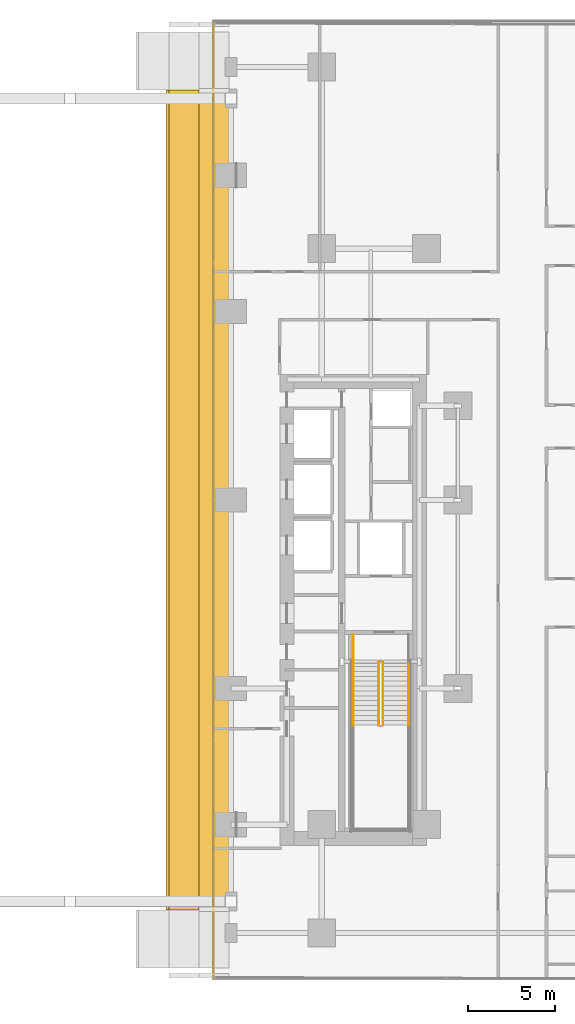
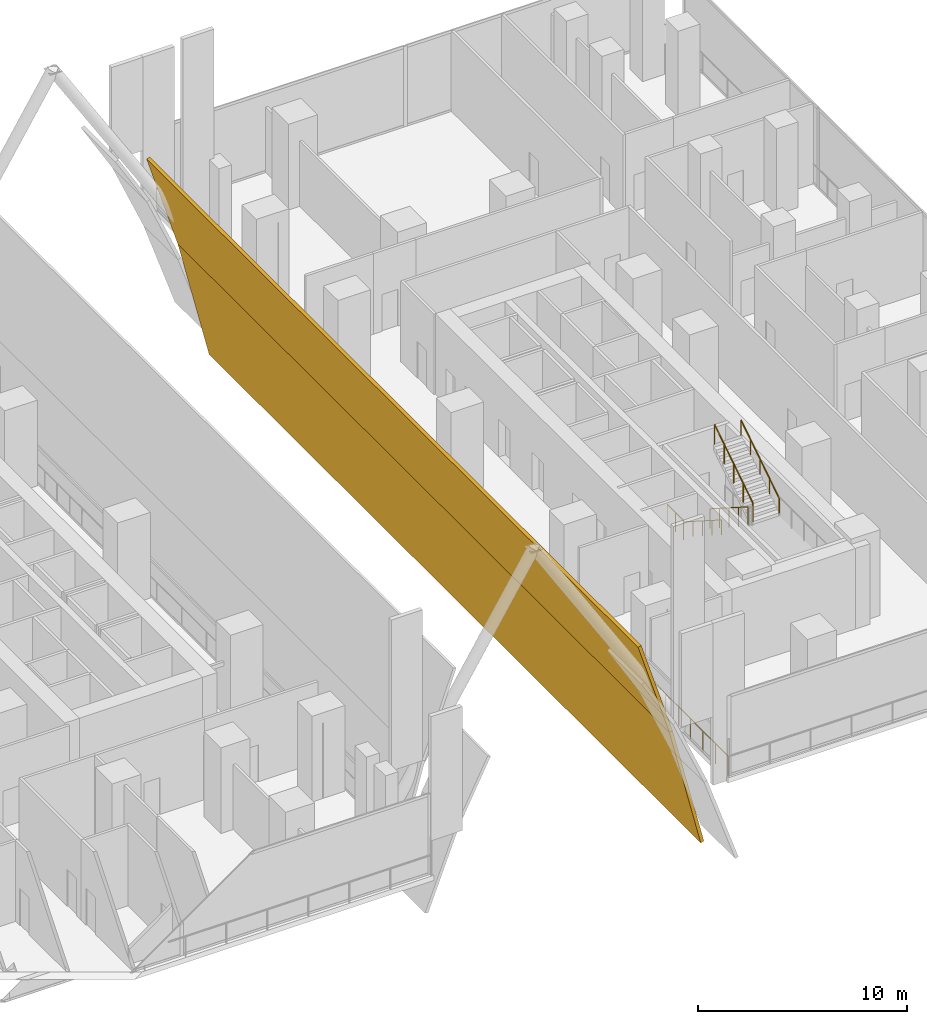
# One storey, part 26 of 31: 6 railings, 2 coverings.
"""IFC4 building model written with IfcOpenShell, lengths in metres."""

import ifcopenshell
import ifcopenshell.guid

model = None  # the IFC model being written
_history = None  # IfcOwnerHistory: only IFC2X3 demands one
_inside = {}  # id of a spatial element -> (the spatial element, [elements in it])
_under = {}  # id of a project, library or spatial element -> (it, [spatial elements below it])
_declared = {}  # id of a project -> (the project, [libraries it declares])
_typed = {}  # id of a type object -> (the type object, [elements of that type])
_made_of = {}  # id of a material, layer set ... -> (it, [elements and type objects made of it])


def new_model(schema):
    """Start an empty IFC model of exactly this schema.

    Asked for "IFC4X3", IfcOpenShell would pick the latest addendum, in which some entities
    have other attributes; the version numbers below select the first issue.
    IFC2X3 requires an IfcOwnerHistory on every rooted entity: one is made here for all.
    """
    global model, _history
    if schema == "IFC4X3":
        model = ifcopenshell.file(schema_version=(4, 3, 0, 0))
    else:
        model = ifcopenshell.file(schema=schema)
    _inside.clear()
    _under.clear()
    _declared.clear()
    _typed.clear()
    _made_of.clear()
    _history = None
    if model.schema == "IFC2X3":
        org = make("IfcOrganization", Name="unknown")
        user = make(
            "IfcPersonAndOrganization",
            ThePerson=make("IfcPerson", FamilyName="unknown"),
            TheOrganization=org,
        )
        app = make(
            "IfcApplication",
            ApplicationDeveloper=org,
            Version="unknown",
            ApplicationFullName="unknown",
            ApplicationIdentifier="unknown",
        )
        _history = make(
            "IfcOwnerHistory",
            OwningUser=user,
            OwningApplication=app,
            ChangeAction="ADDED",
            CreationDate=0,
        )
    return model


def make(cls, **values):
    """One entity of the class cls with the attributes given. An attribute that is None is left unset."""
    return model.create_entity(
        cls, **{name: value for name, value in values.items() if value is not None}
    )


def rooted(cls, **values):
    """An entity with a GlobalId (a new one), such as an element, a storey or a relation."""
    return make(cls, GlobalId=ifcopenshell.guid.new(), OwnerHistory=_history, **values)


def si_unit(unit_type, name, prefix=None):
    """IfcSIUnit, for example si_unit("LENGTHUNIT", "METRE", prefix="MILLI")."""
    return make("IfcSIUnit", UnitType=unit_type, Prefix=prefix, Name=name)


def assignment(units):
    """IfcUnitAssignment: the units of a project."""
    return None if units is None else make("IfcUnitAssignment", Units=units)


def point(xyz):
    """IfcCartesianPoint."""
    return None if xyz is None else make("IfcCartesianPoint", Coordinates=xyz)


def direction(xyz):
    """IfcDirection."""
    return None if xyz is None else make("IfcDirection", DirectionRatios=xyz)


def frame(location, z_axis=None, x_axis=None):
    """IfcAxis2Placement3D, a coordinate frame: its origin and axes. An axis left out is left unset."""
    return make(
        "IfcAxis2Placement3D",
        Location=point(location),
        Axis=direction(z_axis),
        RefDirection=direction(x_axis),
    )


def frame_2d(location, x_axis=None):
    """IfcAxis2Placement2D, a coordinate frame in the plane: its origin and x axis."""
    return make(
        "IfcAxis2Placement2D", Location=point(location), RefDirection=direction(x_axis)
    )


def origin():
    """The frame at (0, 0, 0) with its axes left unset."""
    return frame((0.0, 0.0, 0.0))


def origin_2d():
    """The frame at (0, 0) in the plane with its x axis left unset."""
    return frame_2d((0.0, 0.0))


def place(relative_to, where):
    """IfcLocalPlacement: puts the frame where relative to a parent placement (None: the world)."""
    return make(
        "IfcLocalPlacement", PlacementRelTo=relative_to, RelativePlacement=where
    )


def context(
    kind, dimensions, precision=None, world=None, true_north=None, identifier=None
):
    """IfcGeometricRepresentationContext, for example the 3D "Model" context."""
    return make(
        "IfcGeometricRepresentationContext",
        ContextIdentifier=identifier,
        ContextType=kind,
        CoordinateSpaceDimension=dimensions,
        Precision=precision,
        WorldCoordinateSystem=world,
        TrueNorth=true_north,
    )


def subcontext(parent, identifier, kind, view, scale=None):
    """IfcGeometricRepresentationSubContext, for example "Body" below "Model"."""
    return make(
        "IfcGeometricRepresentationSubContext",
        ContextIdentifier=identifier,
        ContextType=kind,
        ParentContext=parent,
        TargetScale=scale,
        TargetView=view,
    )


def project(units=None, contexts=None):
    """IfcProject with its units and contexts."""
    return rooted(
        "IfcProject",
        Name="project",
        RepresentationContexts=contexts,
        UnitsInContext=assignment(units),
    )


def spatial(cls, under=None, at=None, **own):
    """A site, building, storey or space (cls), placed at a placement, below another one or the project."""
    s = rooted(cls, ObjectPlacement=at, **own)
    if under is not None:
        _under.setdefault(under.id(), (under, []))[1].append(s)
    return s


def polyline(points):
    """IfcPolyline through the points."""
    return make("IfcPolyline", Points=[point(p) for p in points])


def profile(cls, at=None, kind="AREA", **sizes):
    """A parametric profile (cls). Its sizes go by their IFC names, for example OverallWidth=200.0."""
    return make(cls, ProfileType=kind, Position=at, **sizes)


def circle(**sizes):
    """IfcCircleProfileDef."""
    return profile("IfcCircleProfileDef", **sizes)


def outline(outer, holes=None, kind="AREA"):
    """IfcArbitraryClosedProfileDef: a profile drawn as a closed curve; with holes, ...WithVoids."""
    if holes is None:
        return make("IfcArbitraryClosedProfileDef", ProfileType=kind, OuterCurve=outer)
    return make(
        "IfcArbitraryProfileDefWithVoids",
        ProfileType=kind,
        OuterCurve=outer,
        InnerCurves=holes,
    )


def extrude(swept, where, along, depth):
    """IfcExtrudedAreaSolid: the profile swept, set in the frame where, extruded along a direction by depth."""
    return make(
        "IfcExtrudedAreaSolid",
        SweptArea=swept,
        Position=where,
        ExtrudedDirection=direction(along),
        Depth=depth,
    )


def shape(context_of_items, identifier, shape_type, items):
    """IfcShapeRepresentation: the items that make up one representation, for example the "Body"."""
    return make(
        "IfcShapeRepresentation",
        ContextOfItems=context_of_items,
        RepresentationIdentifier=identifier,
        RepresentationType=shape_type,
        Items=items,
    )


def material(Name=None, Category=None):
    """IfcMaterial."""
    return make("IfcMaterial", Name=Name, Category=Category)


def layer(
    of_material, thickness, ventilated=None, Name=None, Category=None, Priority=None
):
    """IfcMaterialLayer: one layer of a wall or slab, of a material (None: an air gap)."""
    return make(
        "IfcMaterialLayer",
        Material=of_material,
        LayerThickness=thickness,
        IsVentilated=ventilated,
        Name=Name,
        Category=Category,
        Priority=Priority,
    )


def layer_set(layers, Name=None):
    """IfcMaterialLayerSet."""
    return make("IfcMaterialLayerSet", MaterialLayers=layers, LayerSetName=Name)


def made_of(thing, what):
    """Note that an element or type object is made of a material, layer set ...; save() writes the relation."""
    if what is not None:
        _made_of.setdefault(what.id(), (what, []))[1].append(thing)
    return thing


def type_object(cls, material=None, **own):
    """A type object (cls), such as IfcWallType, which elements share."""
    return made_of(rooted(cls, **own), material)


def element(
    cls,
    number,
    at=None,
    inside=None,
    cuts=None,
    type_object=None,
    material=None,
    context=None,
    identifier="Body",
    shape_type=None,
    held_by="IfcProductDefinitionShape",
    body=None,
    shapes=None,
    **own,
):
    """One element of the class cls, such as IfcWall. Its Tag is "e" and its number.

    at: its placement. inside: the storey or other place that contains it. cuts: it is an
    opening in that element (IfcRelVoidsElement). A single representation is given by context,
    identifier, shape_type and body (its items); several are given by shapes. held_by: the class
    of the entity that holds the representations. save() writes the other relations.
    """
    e = rooted(cls, Tag="e%d" % number, ObjectPlacement=at, **own)
    if body is not None:
        shapes = [shape(context, identifier, shape_type, body)]
    if shapes is not None:
        e.Representation = make(held_by, Representations=shapes)
    if inside is not None:
        _inside.setdefault(inside.id(), (inside, []))[1].append(e)
    if cuts is not None:
        rooted(
            "IfcRelVoidsElement", RelatingBuildingElement=cuts, RelatedOpeningElement=e
        )
    if type_object is not None:
        _typed.setdefault(type_object.id(), (type_object, []))[1].append(e)
    return made_of(e, material)


def aggregate(whole, parts):
    """IfcRelAggregates: a whole, such as a stair, and the parts it consists of."""
    return rooted("IfcRelAggregates", RelatingObject=whole, RelatedObjects=parts)


def save(model, path):
    """Write the relations noted so far, then the file.

    IfcRelAggregates (storeys below a building ...), IfcRelContainedInSpatialStructure (elements
    in a storey), IfcRelDefinesByType, IfcRelAssociatesMaterial and IfcRelDeclares: one each for
    every whole, place, type object, material and project.
    """
    for whole, parts in _under.values():
        aggregate(whole, parts)
    for where, things in _inside.values():
        rooted(
            "IfcRelContainedInSpatialStructure",
            RelatedElements=things,
            RelatingStructure=where,
        )
    for kind, things in _typed.values():
        rooted("IfcRelDefinesByType", RelatedObjects=things, RelatingType=kind)
    for what, things in _made_of.values():
        rooted("IfcRelAssociatesMaterial", RelatedObjects=things, RelatingMaterial=what)
    for by, libraries in _declared.values():
        rooted("IfcRelDeclares", RelatingContext=by, RelatedDefinitions=libraries)
    model.write(path)


model = new_model("IFC4")

# Units and contexts
model_context = context("Model", 3, precision=1e-05, world=origin(), true_north=direction((0.0, 1.0)))
body_context = subcontext(model_context, "Body", "Model", "MODEL_VIEW")
ifc_project = project(units=[si_unit("LENGTHUNIT", "METRE"), si_unit("AREAUNIT", "SQUARE_METRE"), si_unit("VOLUMEUNIT", "CUBIC_METRE"), si_unit("PLANEANGLEUNIT", "RADIAN"), si_unit("MASSUNIT", "GRAM", prefix="KILO")], contexts=[model_context])

# Site, building, storey
site_placement = place(None, origin())
site = spatial("IfcSite", under=ifc_project, at=site_placement, CompositionType="ELEMENT")
building_placement = place(site_placement, origin())
building = spatial("IfcBuilding", under=site, at=building_placement, Name="Khairoan Windgate Tower", CompositionType="ELEMENT")
storey_placement = place(building_placement, frame((0.0, 0.0, 6.0)))
storey = spatial("IfcBuildingStorey", under=building, at=storey_placement, Name="L02", CompositionType="ELEMENT", Elevation=6.0)

# Railing
ifc_material_1 = material(Name="Anodised Bronze Aluminium 6063-T6", Category="aluminium")
railing_type_1 = type_object("IfcRailingType", Name="Aerodynamic Bronze-and-Glass Balustrade BAL-1200", PredefinedType="BALUSTRADE", material=ifc_material_1)
railing_1_placement = place(storey_placement, frame((8.199951171875, -27.356689453125, 0.0)))
element("IfcRailing", 1, at=railing_1_placement, inside=storey, type_object=railing_type_1, Name="L02 Arch Void Edge Guardrail 2", PredefinedType="BALUSTRADE", context=body_context, shape_type="SweptSolid", body=[
    extrude(circle(Radius=0.02392578125, at=origin_2d()), frame((0.0, 0.0, 1.17578125), z_axis=(0.0, 1.0, 0.0), x_axis=(-1.0, 0.0, 0.0)), (0.0, 0.0, 1.0), 54.661865234375),
    extrude(circle(Radius=0.02099609375, at=origin_2d()), origin(), (0.0, 0.0, 1.0), 1.15185546875),
    extrude(circle(Radius=0.02099609375, at=origin_2d()), frame((0.0, 1.188232421875, 0.0)), (0.0, 0.0, 1.0), 1.15185546875),
    extrude(circle(Radius=0.02099609375, at=origin_2d()), frame((0.0, 2.376708984375, 0.0)), (0.0, 0.0, 1.0), 1.15185546875),
    extrude(circle(Radius=0.02099609375, at=origin_2d()), frame((0.0, 3.56494140625, 0.0)), (0.0, 0.0, 1.0), 1.15185546875),
    extrude(circle(Radius=0.02099609375, at=origin_2d()), frame((0.0, 4.753173828125, 0.0)), (0.0, 0.0, 1.0), 1.15185546875),
    extrude(circle(Radius=0.02099609375, at=origin_2d()), frame((0.0, 5.94140625, 0.0)), (0.0, 0.0, 1.0), 1.15185546875),
    extrude(circle(Radius=0.02099609375, at=origin_2d()), frame((0.0, 7.1298828125, 0.0)), (0.0, 0.0, 1.0), 1.15185546875),
    extrude(circle(Radius=0.02099609375, at=origin_2d()), frame((0.0, 8.318115234375, 0.0)), (0.0, 0.0, 1.0), 1.15185546875),
    extrude(circle(Radius=0.02099609375, at=origin_2d()), frame((0.0, 9.50634765625, 0.0)), (0.0, 0.0, 1.0), 1.15185546875),
    extrude(circle(Radius=0.02099609375, at=origin_2d()), frame((0.0, 10.69482421875, 0.0)), (0.0, 0.0, 1.0), 1.15185546875),
    extrude(circle(Radius=0.02099609375, at=origin_2d()), frame((0.0, 11.883056640625, 0.0)), (0.0, 0.0, 1.0), 1.15185546875),
    extrude(circle(Radius=0.02099609375, at=origin_2d()), frame((0.0, 13.0712890625, 0.0)), (0.0, 0.0, 1.0), 1.15185546875),
    extrude(circle(Radius=0.02099609375, at=origin_2d()), frame((0.0, 14.259521484375, 0.0)), (0.0, 0.0, 1.0), 1.15185546875),
    extrude(circle(Radius=0.02099609375, at=origin_2d()), frame((0.0, 15.447998046875, 0.0)), (0.0, 0.0, 1.0), 1.15185546875),
    extrude(circle(Radius=0.02099609375, at=origin_2d()), frame((0.0, 16.63623046875, 0.0)), (0.0, 0.0, 1.0), 1.15185546875),
    extrude(circle(Radius=0.02099609375, at=origin_2d()), frame((0.0, 17.824462890625, 0.0)), (0.0, 0.0, 1.0), 1.15185546875),
    extrude(circle(Radius=0.02099609375, at=origin_2d()), frame((0.0, 19.012939453125, 0.0)), (0.0, 0.0, 1.0), 1.15185546875),
    extrude(circle(Radius=0.02099609375, at=origin_2d()), frame((0.0, 20.201171875, 0.0)), (0.0, 0.0, 1.0), 1.15185546875),
    extrude(circle(Radius=0.02099609375, at=origin_2d()), frame((0.0, 21.389404296875, 0.0)), (0.0, 0.0, 1.0), 1.15185546875),
    extrude(circle(Radius=0.02099609375, at=origin_2d()), frame((0.0, 22.57763671875, 0.0)), (0.0, 0.0, 1.0), 1.15185546875),
    extrude(circle(Radius=0.02099609375, at=origin_2d()), frame((0.0, 23.76611328125, 0.0)), (0.0, 0.0, 1.0), 1.15185546875),
    extrude(circle(Radius=0.02099609375, at=origin_2d()), frame((0.0, 24.954345703125, 0.0)), (0.0, 0.0, 1.0), 1.15185546875),
    extrude(circle(Radius=0.02099609375, at=origin_2d()), frame((0.0, 26.142578125, 0.0)), (0.0, 0.0, 1.0), 1.15185546875),
    extrude(circle(Radius=0.02099609375, at=origin_2d()), frame((0.0, 27.3310546875, 0.0)), (0.0, 0.0, 1.0), 1.15185546875),
    extrude(circle(Radius=0.02099609375, at=origin_2d()), frame((0.0, 28.519287109375, 0.0)), (0.0, 0.0, 1.0), 1.15185546875),
    extrude(circle(Radius=0.02099609375, at=origin_2d()), frame((0.0, 29.70751953125, 0.0)), (0.0, 0.0, 1.0), 1.15185546875),
    extrude(circle(Radius=0.02099609375, at=origin_2d()), frame((0.0, 30.895751953125, 0.0)), (0.0, 0.0, 1.0), 1.15185546875),
    extrude(circle(Radius=0.02099609375, at=origin_2d()), frame((0.0, 32.084228515625, 0.0)), (0.0, 0.0, 1.0), 1.15185546875),
    extrude(circle(Radius=0.02099609375, at=origin_2d()), frame((0.0, 33.2724609375, 0.0)), (0.0, 0.0, 1.0), 1.15185546875),
    extrude(circle(Radius=0.02099609375, at=origin_2d()), frame((0.0, 34.460693359375, 0.0)), (0.0, 0.0, 1.0), 1.15185546875),
    extrude(circle(Radius=0.02099609375, at=origin_2d()), frame((0.0, 35.64892578125, 0.0)), (0.0, 0.0, 1.0), 1.15185546875),
    extrude(circle(Radius=0.02099609375, at=origin_2d()), frame((0.0, 36.83740234375, 0.0)), (0.0, 0.0, 1.0), 1.15185546875),
    extrude(circle(Radius=0.02099609375, at=origin_2d()), frame((0.0, 38.025634765625, 0.0)), (0.0, 0.0, 1.0), 1.15185546875),
    extrude(circle(Radius=0.02099609375, at=origin_2d()), frame((0.0, 39.2138671875, 0.0)), (0.0, 0.0, 1.0), 1.15185546875),
    extrude(circle(Radius=0.02099609375, at=origin_2d()), frame((0.0, 40.40234375, 0.0)), (0.0, 0.0, 1.0), 1.15185546875),
    extrude(circle(Radius=0.02099609375, at=origin_2d()), frame((0.0, 41.590576171875, 0.0)), (0.0, 0.0, 1.0), 1.15185546875),
    extrude(circle(Radius=0.02099609375, at=origin_2d()), frame((0.0, 42.77880859375, 0.0)), (0.0, 0.0, 1.0), 1.15185546875),
    extrude(circle(Radius=0.02099609375, at=origin_2d()), frame((0.0, 43.967041015625, 0.0)), (0.0, 0.0, 1.0), 1.15185546875),
    extrude(circle(Radius=0.02099609375, at=origin_2d()), frame((0.0, 45.155517578125, 0.0)), (0.0, 0.0, 1.0), 1.15185546875),
    extrude(circle(Radius=0.02099609375, at=origin_2d()), frame((0.0, 46.34375, 0.0)), (0.0, 0.0, 1.0), 1.15185546875),
    extrude(circle(Radius=0.02099609375, at=origin_2d()), frame((0.0, 47.531982421875, 0.0)), (0.0, 0.0, 1.0), 1.15185546875),
    extrude(circle(Radius=0.02099609375, at=origin_2d()), frame((0.0, 48.720458984375, 0.0)), (0.0, 0.0, 1.0), 1.15185546875),
    extrude(circle(Radius=0.02099609375, at=origin_2d()), frame((0.0, 49.90869140625, 0.0)), (0.0, 0.0, 1.0), 1.15185546875),
    extrude(circle(Radius=0.02099609375, at=origin_2d()), frame((0.0, 51.096923828125, 0.0)), (0.0, 0.0, 1.0), 1.15185546875),
    extrude(circle(Radius=0.02099609375, at=origin_2d()), frame((0.0, 52.28515625, 0.0)), (0.0, 0.0, 1.0), 1.15185546875),
    extrude(circle(Radius=0.02099609375, at=origin_2d()), frame((0.0, 53.4736328125, 0.0)), (0.0, 0.0, 1.0), 1.15185546875),
    extrude(circle(Radius=0.02099609375, at=origin_2d()), frame((0.0, 54.661865234375, 0.0)), (0.0, 0.0, 1.0), 1.15185546875),
])

# Coverings
ifc_material_2 = material(Name="Anodised Bronze Aluminium 6063-T6", Category="aluminium")
ifc_layer = layer(ifc_material_2, 0.179931640625, Name="Anodised Bronze Aluminium 6063-T6")
ifc_layer_set = layer_set([ifc_layer], Name="Anodised Bronze Aluminium 6063-T6")
covering_type = type_object("IfcCoveringType", Name="Sculpted Parabolic Arch and Crown Cladding", PredefinedType="CLADDING", material=ifc_layer_set)
covering_1_placement = place(storey_placement, frame((5.639892578125, -23.5, 6.17333984375), z_axis=(0.955035137354, 0.0, 0.296492641424), x_axis=(0.296492641424, 0.0, -0.955035137354)))
element("IfcCovering", 2, at=covering_1_placement, inside=storey, type_object=covering_type, Name="Monumental Podium Parabolic Arch Barrel-Vault Cladding 09", PredefinedType="CLADDING", context=body_context, shape_type="SweptSolid", body=[
    extrude(outline(polyline([(0.0, 0.0), (5.8356409827384566, 0.0), (5.8356409827384566, 46.99999999999999), (0.0, 46.99999999999999), (0.0, 0.0)])), origin(), (0.0, 0.0, -1.0), 0.179931640625),
])
covering_2_placement = place(storey_placement, frame((7.3701171875, -23.5, 0.60009765625), z_axis=(0.971231672434, 0.0, 0.238136596224), x_axis=(0.238136596224, 0.0, -0.971231672434)))
element("IfcCovering", 3, at=covering_2_placement, inside=storey, type_object=covering_type, Name="Monumental Podium Parabolic Arch Barrel-Vault Cladding 10", PredefinedType="CLADDING", context=body_context, shape_type="SweptSolid", body=[
    extrude(outline(polyline([(0.0, 0.0), (7.2646560679161185, 0.0), (7.2646560679161185, 47.0), (0.0, 47.0), (0.0, 0.0)])), origin(), (0.0, 0.0, -1.0), 0.179931640625),
])

# Railings
ifc_material_3 = material(Name="Anodised Bronze Aluminium 6063-T6", Category="aluminium")
railing_type_2 = type_object("IfcRailingType", Name="Stair Wall Handrail SHR-900", PredefinedType="HANDRAIL", material=ifc_material_3)
railing_2_placement = place(storey_placement, frame((16.199951171875, -9.260009765625, 0.178466796875)))
element("IfcRailing", 4, at=railing_2_placement, inside=storey, type_object=railing_type_2, Name="L02 ST1 stair handrail 1", PredefinedType="HANDRAIL", context=body_context, shape_type="SweptSolid", body=[
    extrude(circle(Radius=0.02392578125, at=origin_2d()), frame((0.0, 0.0, 0.8759765625), z_axis=(0.0, -0.843111507901, 0.53773877045), x_axis=(1.0, 0.0, 0.0)), (0.0, 0.0, 1.0), 4.317138671875),
    extrude(circle(Radius=0.02099609375, at=origin_2d()), origin(), (0.0, 0.0, 1.0), 0.851806640625),
    extrude(circle(Radius=0.02099609375, at=origin_2d()), frame((0.0, -0.909912109375, 0.580322265625)), (0.0, 0.0, 1.0), 0.851806640625),
    extrude(circle(Radius=0.02099609375, at=origin_2d()), frame((0.0, -1.81982421875, 1.16064453125)), (0.0, 0.0, 1.0), 0.851806640625),
    extrude(circle(Radius=0.02099609375, at=origin_2d()), frame((0.0, -2.72998046875, 1.7412109375)), (0.0, 0.0, 1.0), 0.851806640625),
    extrude(circle(Radius=0.02099609375, at=origin_2d()), frame((0.0, -3.639892578125, 2.321533203125)), (0.0, 0.0, 1.0), 0.851806640625),
])
railing_3_placement = place(storey_placement, frame((19.3701171875, -12.89990234375, 2.678466796875)))
element("IfcRailing", 5, at=railing_3_placement, inside=storey, type_object=railing_type_2, Name="L02 ST1 stair handrail 2", PredefinedType="HANDRAIL", context=body_context, shape_type="SweptSolid", body=[
    extrude(circle(Radius=0.02392578125, at=origin_2d()), frame((0.0, 0.0, 0.8759765625), z_axis=(0.0, 0.843111507901, 0.53773877045), x_axis=(-1.0, 0.0, 0.0)), (0.0, 0.0, 1.0), 4.317138671875),
    extrude(circle(Radius=0.02099609375, at=origin_2d()), origin(), (0.0, 0.0, 1.0), 0.851806640625),
    extrude(circle(Radius=0.02099609375, at=origin_2d()), frame((0.0, 0.909912109375, 0.580322265625)), (0.0, 0.0, 1.0), 0.851806640625),
    extrude(circle(Radius=0.02099609375, at=origin_2d()), frame((0.0, 1.81982421875, 1.16064453125)), (0.0, 0.0, 1.0), 0.851806640625),
    extrude(circle(Radius=0.02099609375, at=origin_2d()), frame((0.0, 2.72998046875, 1.7412109375)), (0.0, 0.0, 1.0), 0.851806640625),
    extrude(circle(Radius=0.02099609375, at=origin_2d()), frame((0.0, 3.639892578125, 2.321533203125)), (0.0, 0.0, 1.0), 0.851806640625),
])
ifc_material_4 = material(Name="Steel S355", Category="steel")
railing_type_3 = type_object("IfcRailingType", Name="Stairwell Safety Guardrail SGR-1150", PredefinedType="GUARDRAIL", material=ifc_material_4)
railing_4_placement = place(storey_placement, frame((17.659912109375, -9.260009765625, 0.178466796875)))
element("IfcRailing", 6, at=railing_4_placement, inside=storey, type_object=railing_type_3, Name="L02 ST1 stair guard 1", PredefinedType="GUARDRAIL", context=body_context, shape_type="SweptSolid", body=[
    extrude(circle(Radius=0.02392578125, at=origin_2d()), frame((0.0, 0.0, 1.1259765625), z_axis=(0.0, -0.843111507901, 0.53773877045), x_axis=(1.0, 0.0, 0.0)), (0.0, 0.0, 1.0), 4.317138671875),
    extrude(circle(Radius=0.02099609375, at=origin_2d()), origin(), (0.0, 0.0, 1.0), 1.101806640625),
    extrude(circle(Radius=0.02099609375, at=origin_2d()), frame((0.0, -0.909912109375, 0.580322265625)), (0.0, 0.0, 1.0), 1.101806640625),
    extrude(circle(Radius=0.02099609375, at=origin_2d()), frame((0.0, -1.81982421875, 1.16064453125)), (0.0, 0.0, 1.0), 1.101806640625),
    extrude(circle(Radius=0.02099609375, at=origin_2d()), frame((0.0, -2.72998046875, 1.7412109375)), (0.0, 0.0, 1.0), 1.101806640625),
    extrude(circle(Radius=0.02099609375, at=origin_2d()), frame((0.0, -3.639892578125, 2.321533203125)), (0.0, 0.0, 1.0), 1.101806640625),
])
railing_5_placement = place(storey_placement, frame((17.909912109375, -12.89990234375, 2.678466796875)))
element("IfcRailing", 7, at=railing_5_placement, inside=storey, type_object=railing_type_3, Name="L02 ST1 stair guard 6", PredefinedType="GUARDRAIL", context=body_context, shape_type="SweptSolid", body=[
    extrude(circle(Radius=0.02392578125, at=origin_2d()), frame((0.0, 0.0, 1.1259765625), z_axis=(0.0, 0.843111507901, 0.53773877045), x_axis=(-1.0, 0.0, 0.0)), (0.0, 0.0, 1.0), 4.317138671875),
    extrude(circle(Radius=0.02099609375, at=origin_2d()), origin(), (0.0, 0.0, 1.0), 1.101806640625),
    extrude(circle(Radius=0.02099609375, at=origin_2d()), frame((0.0, 0.909912109375, 0.580322265625)), (0.0, 0.0, 1.0), 1.101806640625),
    extrude(circle(Radius=0.02099609375, at=origin_2d()), frame((0.0, 1.81982421875, 1.16064453125)), (0.0, 0.0, 1.0), 1.101806640625),
    extrude(circle(Radius=0.02099609375, at=origin_2d()), frame((0.0, 2.72998046875, 1.7412109375)), (0.0, 0.0, 1.0), 1.101806640625),
    extrude(circle(Radius=0.02099609375, at=origin_2d()), frame((0.0, 3.639892578125, 2.321533203125)), (0.0, 0.0, 1.0), 1.101806640625),
])
railing_6_placement = place(storey_placement, frame((16.199951171875, -7.699951171875, 0.0)))
element("IfcRailing", 8, at=railing_6_placement, inside=storey, type_object=railing_type_3, Name="L02 ST1 stair guard 8", PredefinedType="GUARDRAIL", context=body_context, shape_type="SweptSolid", body=[
    extrude(circle(Radius=0.02392578125, at=origin_2d()), frame((0.0, 0.0, 1.1259765625), z_axis=(0.0, -1.0, 0.0), x_axis=(1.0, 0.0, 0.0)), (0.0, 0.0, 1.0), 1.56005859375),
    extrude(circle(Radius=0.02099609375, at=origin_2d()), origin(), (0.0, 0.0, 1.0), 1.101806640625),
    extrude(circle(Radius=0.02099609375, at=origin_2d()), frame((0.0, -0.780029296875, 0.0)), (0.0, 0.0, 1.0), 1.101806640625),
    extrude(circle(Radius=0.02099609375, at=origin_2d()), frame((0.0, -1.56005859375, 0.0)), (0.0, 0.0, 1.0), 1.101806640625),
])

save(model, "model.ifc")
